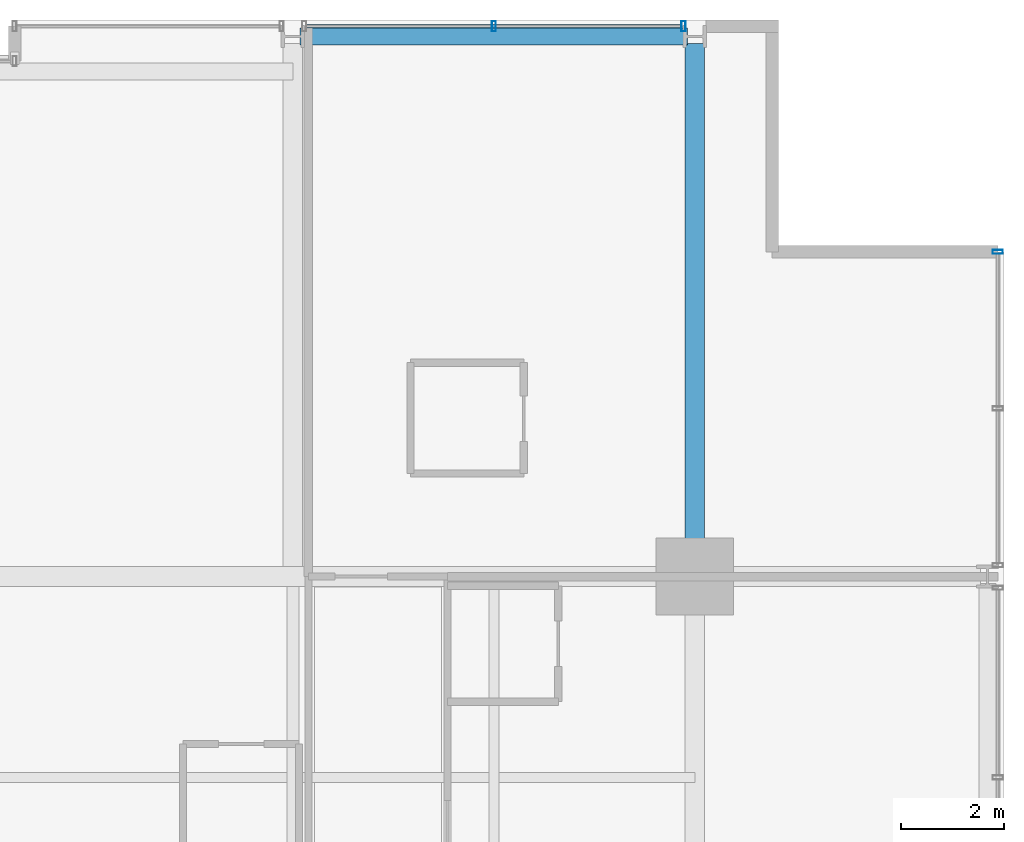
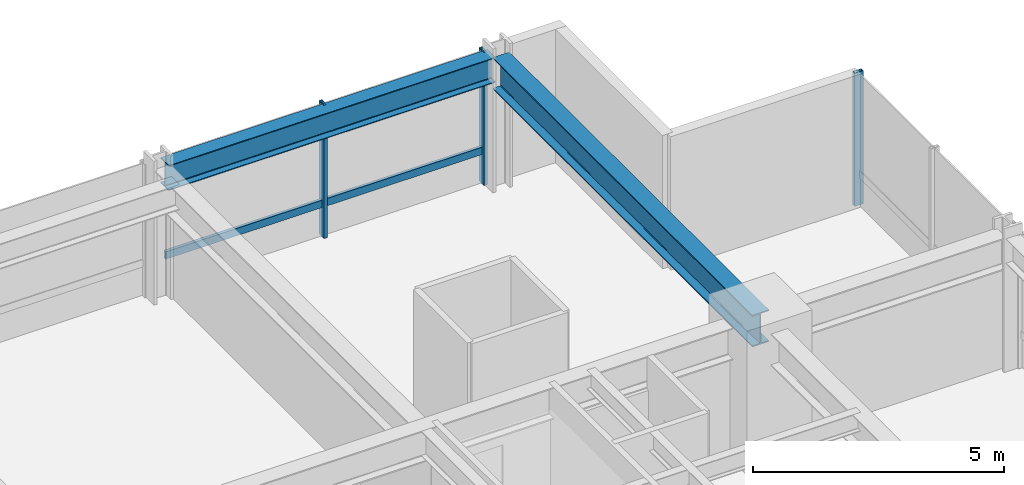
# One storey, part 26 of 34: 4 members, 2 beams, 2 elements without a shape of their own.
"""IFC4 building model written with IfcOpenShell, lengths in metres."""

import ifcopenshell
import ifcopenshell.guid

model = None  # the IFC model being written
_history = None  # IfcOwnerHistory: only IFC2X3 demands one
_inside = {}  # id of a spatial element -> (the spatial element, [elements in it])
_under = {}  # id of a project, library or spatial element -> (it, [spatial elements below it])
_declared = {}  # id of a project -> (the project, [libraries it declares])
_typed = {}  # id of a type object -> (the type object, [elements of that type])
_made_of = {}  # id of a material, layer set ... -> (it, [elements and type objects made of it])


def new_model(schema):
    """Start an empty IFC model of exactly this schema.

    Asked for "IFC4X3", IfcOpenShell would pick the latest addendum, in which some entities
    have other attributes; the version numbers below select the first issue.
    IFC2X3 requires an IfcOwnerHistory on every rooted entity: one is made here for all.
    """
    global model, _history
    if schema == "IFC4X3":
        model = ifcopenshell.file(schema_version=(4, 3, 0, 0))
    else:
        model = ifcopenshell.file(schema=schema)
    _inside.clear()
    _under.clear()
    _declared.clear()
    _typed.clear()
    _made_of.clear()
    _history = None
    if model.schema == "IFC2X3":
        org = make("IfcOrganization", Name="unknown")
        user = make(
            "IfcPersonAndOrganization",
            ThePerson=make("IfcPerson", FamilyName="unknown"),
            TheOrganization=org,
        )
        app = make(
            "IfcApplication",
            ApplicationDeveloper=org,
            Version="unknown",
            ApplicationFullName="unknown",
            ApplicationIdentifier="unknown",
        )
        _history = make(
            "IfcOwnerHistory",
            OwningUser=user,
            OwningApplication=app,
            ChangeAction="ADDED",
            CreationDate=0,
        )
    return model


def make(cls, **values):
    """One entity of the class cls with the attributes given. An attribute that is None is left unset."""
    return model.create_entity(
        cls, **{name: value for name, value in values.items() if value is not None}
    )


def rooted(cls, **values):
    """An entity with a GlobalId (a new one), such as an element, a storey or a relation."""
    return make(cls, GlobalId=ifcopenshell.guid.new(), OwnerHistory=_history, **values)


def si_unit(unit_type, name, prefix=None):
    """IfcSIUnit, for example si_unit("LENGTHUNIT", "METRE", prefix="MILLI")."""
    return make("IfcSIUnit", UnitType=unit_type, Prefix=prefix, Name=name)


def assignment(units):
    """IfcUnitAssignment: the units of a project."""
    return None if units is None else make("IfcUnitAssignment", Units=units)


def point(xyz):
    """IfcCartesianPoint."""
    return None if xyz is None else make("IfcCartesianPoint", Coordinates=xyz)


def direction(xyz):
    """IfcDirection."""
    return None if xyz is None else make("IfcDirection", DirectionRatios=xyz)


def frame(location, z_axis=None, x_axis=None):
    """IfcAxis2Placement3D, a coordinate frame: its origin and axes. An axis left out is left unset."""
    return make(
        "IfcAxis2Placement3D",
        Location=point(location),
        Axis=direction(z_axis),
        RefDirection=direction(x_axis),
    )


def frame_2d(location, x_axis=None):
    """IfcAxis2Placement2D, a coordinate frame in the plane: its origin and x axis."""
    return make(
        "IfcAxis2Placement2D", Location=point(location), RefDirection=direction(x_axis)
    )


def origin():
    """The frame at (0, 0, 0) with its axes left unset."""
    return frame((0.0, 0.0, 0.0))


def origin_2d():
    """The frame at (0, 0) in the plane with its x axis left unset."""
    return frame_2d((0.0, 0.0))


def place(relative_to, where):
    """IfcLocalPlacement: puts the frame where relative to a parent placement (None: the world)."""
    return make(
        "IfcLocalPlacement", PlacementRelTo=relative_to, RelativePlacement=where
    )


def context(
    kind, dimensions, precision=None, world=None, true_north=None, identifier=None
):
    """IfcGeometricRepresentationContext, for example the 3D "Model" context."""
    return make(
        "IfcGeometricRepresentationContext",
        ContextIdentifier=identifier,
        ContextType=kind,
        CoordinateSpaceDimension=dimensions,
        Precision=precision,
        WorldCoordinateSystem=world,
        TrueNorth=true_north,
    )


def subcontext(parent, identifier, kind, view, scale=None):
    """IfcGeometricRepresentationSubContext, for example "Body" below "Model"."""
    return make(
        "IfcGeometricRepresentationSubContext",
        ContextIdentifier=identifier,
        ContextType=kind,
        ParentContext=parent,
        TargetScale=scale,
        TargetView=view,
    )


def project(units=None, contexts=None):
    """IfcProject with its units and contexts."""
    return rooted(
        "IfcProject",
        Name="project",
        RepresentationContexts=contexts,
        UnitsInContext=assignment(units),
    )


def spatial(cls, under=None, at=None, **own):
    """A site, building, storey or space (cls), placed at a placement, below another one or the project."""
    s = rooted(cls, ObjectPlacement=at, **own)
    if under is not None:
        _under.setdefault(under.id(), (under, []))[1].append(s)
    return s


def profile(cls, at=None, kind="AREA", **sizes):
    """A parametric profile (cls). Its sizes go by their IFC names, for example OverallWidth=200.0."""
    return make(cls, ProfileType=kind, Position=at, **sizes)


def hollow_rectangle(**sizes):
    """IfcRectangleHollowProfileDef."""
    return profile("IfcRectangleHollowProfileDef", **sizes)


def i_section(**sizes):
    """IfcIShapeProfileDef."""
    return profile("IfcIShapeProfileDef", **sizes)


def extrude(swept, where, along, depth):
    """IfcExtrudedAreaSolid: the profile swept, set in the frame where, extruded along a direction by depth."""
    return make(
        "IfcExtrudedAreaSolid",
        SweptArea=swept,
        Position=where,
        ExtrudedDirection=direction(along),
        Depth=depth,
    )


def shape(context_of_items, identifier, shape_type, items):
    """IfcShapeRepresentation: the items that make up one representation, for example the "Body"."""
    return make(
        "IfcShapeRepresentation",
        ContextOfItems=context_of_items,
        RepresentationIdentifier=identifier,
        RepresentationType=shape_type,
        Items=items,
    )


def material(Name=None, Category=None):
    """IfcMaterial."""
    return make("IfcMaterial", Name=Name, Category=Category)


def layer(
    of_material, thickness, ventilated=None, Name=None, Category=None, Priority=None
):
    """IfcMaterialLayer: one layer of a wall or slab, of a material (None: an air gap)."""
    return make(
        "IfcMaterialLayer",
        Material=of_material,
        LayerThickness=thickness,
        IsVentilated=ventilated,
        Name=Name,
        Category=Category,
        Priority=Priority,
    )


def layer_set(layers, Name=None):
    """IfcMaterialLayerSet."""
    return make("IfcMaterialLayerSet", MaterialLayers=layers, LayerSetName=Name)


def material_profile(
    of_material, cross_section, Name=None, Category=None, Priority=None
):
    """IfcMaterialProfile: a cross section and its material."""
    return make(
        "IfcMaterialProfile",
        Name=Name,
        Material=of_material,
        Profile=cross_section,
        Priority=Priority,
        Category=Category,
    )


def profile_set(profiles, Name=None, composite=None):
    """IfcMaterialProfileSet."""
    return make(
        "IfcMaterialProfileSet",
        Name=Name,
        MaterialProfiles=profiles,
        CompositeProfile=composite,
    )


def made_of(thing, what):
    """Note that an element or type object is made of a material, layer set ...; save() writes the relation."""
    if what is not None:
        _made_of.setdefault(what.id(), (what, []))[1].append(thing)
    return thing


def type_object(cls, material=None, **own):
    """A type object (cls), such as IfcWallType, which elements share."""
    return made_of(rooted(cls, **own), material)


def element(
    cls,
    number,
    at=None,
    inside=None,
    cuts=None,
    type_object=None,
    material=None,
    context=None,
    identifier="Body",
    shape_type=None,
    held_by="IfcProductDefinitionShape",
    body=None,
    shapes=None,
    **own,
):
    """One element of the class cls, such as IfcWall. Its Tag is "e" and its number.

    at: its placement. inside: the storey or other place that contains it. cuts: it is an
    opening in that element (IfcRelVoidsElement). A single representation is given by context,
    identifier, shape_type and body (its items); several are given by shapes. held_by: the class
    of the entity that holds the representations. save() writes the other relations.
    """
    e = rooted(cls, Tag="e%d" % number, ObjectPlacement=at, **own)
    if body is not None:
        shapes = [shape(context, identifier, shape_type, body)]
    if shapes is not None:
        e.Representation = make(held_by, Representations=shapes)
    if inside is not None:
        _inside.setdefault(inside.id(), (inside, []))[1].append(e)
    if cuts is not None:
        rooted(
            "IfcRelVoidsElement", RelatingBuildingElement=cuts, RelatedOpeningElement=e
        )
    if type_object is not None:
        _typed.setdefault(type_object.id(), (type_object, []))[1].append(e)
    return made_of(e, material)


def aggregate(whole, parts):
    """IfcRelAggregates: a whole, such as a stair, and the parts it consists of."""
    return rooted("IfcRelAggregates", RelatingObject=whole, RelatedObjects=parts)


def save(model, path):
    """Write the relations noted so far, then the file.

    IfcRelAggregates (storeys below a building ...), IfcRelContainedInSpatialStructure (elements
    in a storey), IfcRelDefinesByType, IfcRelAssociatesMaterial and IfcRelDeclares: one each for
    every whole, place, type object, material and project.
    """
    for whole, parts in _under.values():
        aggregate(whole, parts)
    for where, things in _inside.values():
        rooted(
            "IfcRelContainedInSpatialStructure",
            RelatedElements=things,
            RelatingStructure=where,
        )
    for kind, things in _typed.values():
        rooted("IfcRelDefinesByType", RelatedObjects=things, RelatingType=kind)
    for what, things in _made_of.values():
        rooted("IfcRelAssociatesMaterial", RelatedObjects=things, RelatingMaterial=what)
    for by, libraries in _declared.values():
        rooted("IfcRelDeclares", RelatingContext=by, RelatedDefinitions=libraries)
    model.write(path)


model = new_model("IFC4")

# Units and contexts
model_context = context("Model", 3, precision=1e-05, world=origin(), true_north=direction((0.0, 1.0)))
body_context = subcontext(model_context, "Body", "Model", "MODEL_VIEW")
ifc_project = project(units=[si_unit("LENGTHUNIT", "METRE"), si_unit("AREAUNIT", "SQUARE_METRE"), si_unit("VOLUMEUNIT", "CUBIC_METRE"), si_unit("PLANEANGLEUNIT", "RADIAN"), si_unit("MASSUNIT", "GRAM", prefix="KILO")], contexts=[model_context])

# Site, building, storey
site_placement = place(None, origin())
site = spatial("IfcSite", under=ifc_project, at=site_placement, CompositionType="ELEMENT")
building_placement = place(site_placement, origin())
building = spatial("IfcBuilding", under=site, at=building_placement, Name="Drelvath Grand Hotel", CompositionType="ELEMENT")
storey_placement = place(building_placement, frame((0.0, 0.0, 109.300048828125)))
storey = spatial("IfcBuildingStorey", under=building, at=storey_placement, Name="L27", CompositionType="ELEMENT", Elevation=109.300048828125)

# Curtain wall, member
ifc_material_1 = material(Name="Champagne Bronze Anodised Aluminium Frame", Category="aluminium")
ifc_layer = layer(ifc_material_1, 0.199951171875)
ifc_layer_set = layer_set([ifc_layer], Name="Champagne Bronze Anodised Aluminium Frame")
curtain_wall_type = type_object("IfcCurtainWallType", Name="Stick Curtain Wall CW-03 Champagne Bronze Mid-Rise", PredefinedType="NOTDEFINED", material=ifc_layer_set)
curtain_wall_1_placement = place(storey_placement, origin())
curtain_wall_1 = element("IfcCurtainWall", 1, at=curtain_wall_1_placement, inside=storey, type_object=curtain_wall_type, Name="L27 CW-03 Curtain Wall CW03-L27-NE2", PredefinedType="NOTDEFINED")
ifc_material_profile_1 = material_profile(ifc_material_1, hollow_rectangle(XDim=0.074951171875, YDim=0.179931640625, WallThickness=0.0048828125, at=origin_2d()), Name="HSS180X75X5")
ifc_profile_set_1 = profile_set([ifc_material_profile_1], Name="Champagne Bronze Anodised Aluminium Frame")
member_type_1 = type_object("IfcMemberType", Name="Curtain Wall Horizontal Transom CW-03 HSS180X75X5", PredefinedType="USERDEFINED", material=ifc_profile_set_1)
member_1_placement = place(storey_placement, frame((8.65966796875, 53.8798828125, 0.81005859375), z_axis=(1.0, 0.0, 0.0), x_axis=(0.0, 1.0, 0.0)))
member_1 = element("IfcMember", 2, at=member_1_placement, type_object=member_type_1, Name="CW03-L27-NE2 Sill Transom", ObjectType="TRANSOM", PredefinedType="USERDEFINED", context=body_context, shape_type="SweptSolid", body=[
    extrude(hollow_rectangle(XDim=0.074951171875, YDim=0.179931640625, WallThickness=0.0048828125, at=origin_2d()), origin(), (0.0, 0.0, 1.0), 7.28076171875),
])

curtain_wall_2_placement = place(storey_placement, origin())
curtain_wall_2 = element("IfcCurtainWall", 3, at=curtain_wall_2_placement, inside=storey, type_object=curtain_wall_type, Name="L27 CW-03 Curtain Wall CW03-L27-EN3", PredefinedType="NOTDEFINED")
ifc_material_profile_2 = material_profile(ifc_material_1, hollow_rectangle(XDim=0.080078125, YDim=0.199951171875, WallThickness=0.0048828125, at=origin_2d()), Name="HSS200X80X5")
ifc_profile_set_2 = profile_set([ifc_material_profile_2], Name="Champagne Bronze Anodised Aluminium Frame")
member_type_2 = type_object("IfcMemberType", Name="Curtain Wall Vertical Mullion CW-03 HSS200X80X5", PredefinedType="MULLION", material=ifc_profile_set_2)
member_2_placement = place(storey_placement, frame((22.080078125, 49.5, 0.0), z_axis=(0.0, 0.0, 1.0), x_axis=(0.0, 1.0, 0.0)))
member_2 = element("IfcMember", 4, at=member_2_placement, type_object=member_type_2, Name="CW03-L27-EN3 Mullion 1", PredefinedType="MULLION", context=body_context, shape_type="SweptSolid", body=[
    extrude(hollow_rectangle(XDim=0.080078125, YDim=0.199951171875, WallThickness=0.0048828125, at=origin_2d()), origin(), (0.0, 0.0, 1.0), 3.239990234375),
])
aggregate(curtain_wall_2, [member_2])

# Member
member_3_placement = place(storey_placement, frame((12.300048828125, 53.8798828125, 0.0), z_axis=(0.0, 0.0, 1.0), x_axis=(1.0, 0.0, 0.0)))
member_3 = element("IfcMember", 5, at=member_3_placement, type_object=member_type_2, Name="CW03-L27-NE2 Mullion 2", PredefinedType="MULLION", context=body_context, shape_type="SweptSolid", body=[
    extrude(hollow_rectangle(XDim=0.080078125, YDim=0.199951171875, WallThickness=0.0048828125, at=origin_2d()), origin(), (0.0, 0.0, 1.0), 3.239990234375),
])

member_4_placement = place(storey_placement, frame((15.98046875, 53.8798828125, 0.0), z_axis=(0.0, 0.0, 1.0), x_axis=(1.0, 0.0, 0.0)))
member_4 = element("IfcMember", 6, at=member_4_placement, type_object=member_type_2, Name="CW03-L27-NE2 Mullion 3", PredefinedType="MULLION", context=body_context, shape_type="SweptSolid", body=[
    extrude(hollow_rectangle(XDim=0.080078125, YDim=0.199951171875, WallThickness=0.0048828125, at=origin_2d()), origin(), (0.0, 0.0, 1.0), 3.239990234375),
])

aggregate(curtain_wall_1, [member_3, member_4, member_1])

# Beams
ifc_material_2 = material(Name="Steel ASTM A992 Gr 50", Category="steel")
ifc_material_profile_3 = material_profile(ifc_material_2, i_section(OverallWidth=0.323974609375, OverallDepth=0.611083984375, WebThickness=0.0126953125, FlangeThickness=0.01904296875, FilletRadius=0.02197265625, at=origin_2d()), Name="W24X104")
ifc_profile_set_3 = profile_set([ifc_material_profile_3], Name="Steel ASTM A992 Gr 50")
beam_type_1 = type_object("IfcBeamType", Name="Perimeter Spandrel Beam W24X104", PredefinedType="SPANDREL", material=ifc_profile_set_3)
beam_1_placement = place(storey_placement, frame((8.5400390625, 53.679931640625, 2.9345703125), z_axis=(1.0, 0.0, 0.0), x_axis=(0.0, 1.0, 0.0)))
element("IfcBeam", 7, at=beam_1_placement, inside=storey, type_object=beam_type_1, Name="L27 Spandrel North E", PredefinedType="SPANDREL", context=body_context, shape_type="SweptSolid", body=[
    extrude(i_section(OverallWidth=0.323974609375, OverallDepth=0.611083984375, WebThickness=0.0126953125, FlangeThickness=0.01904296875, FilletRadius=0.02197265625, at=origin_2d()), origin(), (0.0, 0.0, 1.0), 7.52001953125),
])
ifc_material_profile_4 = material_profile(ifc_material_2, i_section(OverallWidth=0.380615234375, OverallDepth=0.773193359375, WebThickness=0.0166015625, FlangeThickness=0.027099609375, FilletRadius=0.02490234375, at=origin_2d()), Name="W30X173")
ifc_profile_set_4 = profile_set([ifc_material_profile_4], Name="Steel ASTM A992 Gr 50")
beam_type_2 = type_object("IfcBeamType", Name="Primary Floor Girder W30X173", PredefinedType="BEAM", material=ifc_profile_set_4)
beam_2_placement = place(storey_placement, frame((16.199951171875, 43.199951171875, 2.853271484375), z_axis=(0.0, 1.0, 0.0), x_axis=(-1.0, 0.0, 0.0)))
element("IfcBeam", 8, at=beam_2_placement, inside=storey, type_object=beam_type_2, Name="L27 North Grid Girder 7", PredefinedType="BEAM", context=body_context, shape_type="SweptSolid", body=[
    extrude(i_section(OverallWidth=0.380615234375, OverallDepth=0.773193359375, WebThickness=0.0166015625, FlangeThickness=0.027099609375, FilletRadius=0.02490234375, at=origin_2d()), origin(), (0.0, 0.0, 1.0), 10.340087890625),
])

save(model, "model.ifc")
